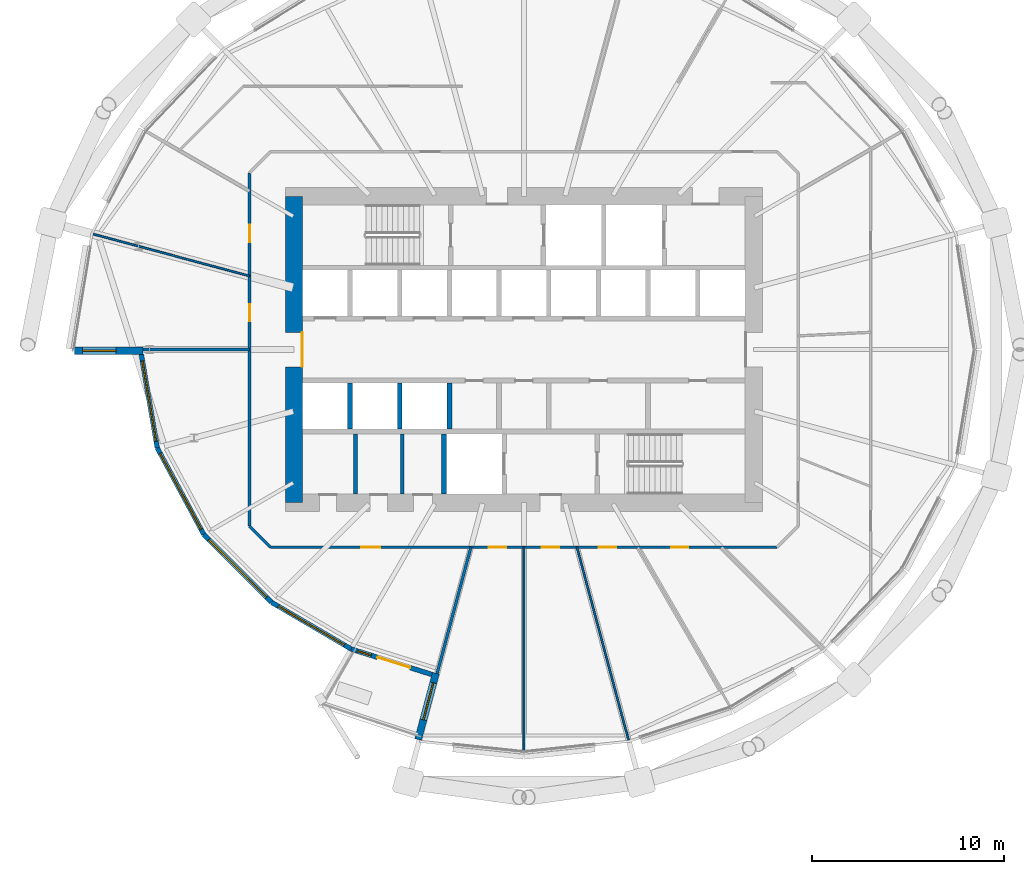
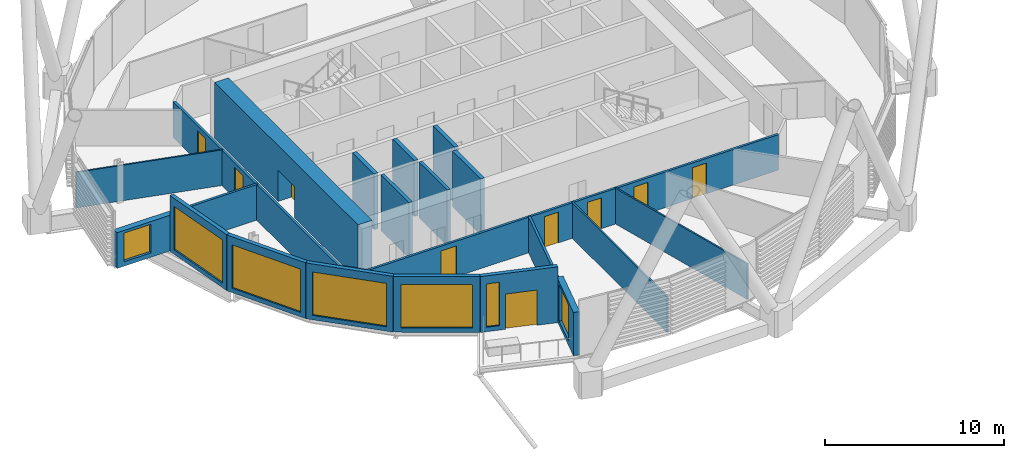
# One storey, part 20 of 36: 22 walls, 9 doors, 7 windows, 16 openings.
"""IFC4 building model written with IfcOpenShell, lengths in metres."""

from ifc_helpers import new_model, si_unit, direction, frame, frame_2d, origin, place, context, subcontext, project, spatial, rectangle, extrude, material, layer, layer_set, type_object, element, fill, save


model = new_model("IFC4")

# Units and contexts
model_context = context("Model", 3, precision=1e-05, world=origin(), true_north=direction((0.0, 1.0)))
body_context = subcontext(model_context, "Body", "Model", "MODEL_VIEW")
ifc_project = project(units=[si_unit("LENGTHUNIT", "METRE"), si_unit("AREAUNIT", "SQUARE_METRE"), si_unit("VOLUMEUNIT", "CUBIC_METRE"), si_unit("PLANEANGLEUNIT", "RADIAN"), si_unit("MASSUNIT", "GRAM", prefix="KILO")], contexts=[model_context])

# Site, building, storey
site_placement = place(None, origin())
site = spatial("IfcSite", under=ifc_project, at=site_placement, CompositionType="ELEMENT")
building_placement = place(site_placement, origin())
building = spatial("IfcBuilding", under=site, at=building_placement, Name="Rimbun Link Towers", CompositionType="ELEMENT")
storey_placement = place(building_placement, frame((0.0, 0.0, 64.199951171875)))
storey = spatial("IfcBuildingStorey", under=building, at=storey_placement, Name="L15", CompositionType="ELEMENT", Elevation=64.199951171875)

# Wall, opening, window
ifc_material_1 = material(Name="Dark enamelled glass spandrel on insulated aluminium backpan", Category="aluminium")
ifc_layer_1 = layer(ifc_material_1, 0.25)
ifc_layer_set_1 = layer_set([ifc_layer_1], Name="CS dark enamelled spandrel wall 250")
wall_type_1 = type_object("IfcWallType", Name="CS dark enamelled spandrel wall 250", PredefinedType="STANDARD", material=ifc_layer_set_1)
wall_1_placement = place(storey_placement, frame((-50.895263671875, -5.13916015625, 0.0), z_axis=(0.0, 0.0, 1.0), x_axis=(-0.168005969371, 0.985785977916, 0.0)))
wall_1 = element("IfcWall", 1, at=wall_1_placement, inside=storey, type_object=wall_type_1, Name="Crease spandrel wall", PredefinedType="STANDARD", context=body_context, shape_type="SweptSolid", body=[
    extrude(rectangle(XDim=4.959716796875, YDim=0.25, at=frame_2d((2.47998046875, 0.0))), origin(), (0.0, 0.0, 1.0), 3.800048828125),
])
opening_1_placement = place(wall_1_placement, frame((0.354736328125, 0.0, 0.300048828125)))
opening_1 = element("IfcOpeningElement", 2, at=opening_1_placement, cuts=wall_1, Name="Opening WR42H295", PredefinedType="OPENING", context=body_context, shape_type="SweptSolid", body=[
    extrude(rectangle(XDim=4.25, YDim=2.949951171875, at=frame_2d((2.125, 1.47509765625))), frame((0.0, 0.135009765625, 0.0), z_axis=(0.0, -1.0, 0.0), x_axis=(1.0, 0.0, 0.0)), (0.0, 0.0, 1.0), 0.27001953125),
])
ifc_material_2 = material(Name="Aluminium framed fixed window, dark tinted low-e glass", Category="aluminium")
window_type_1 = type_object("IfcWindowType", Name="WR ribbon window 4250X2950", PartitioningType="SINGLE_PANEL", PredefinedType="WINDOW", material=ifc_material_2)
window_1_placement = place(opening_1_placement, origin())
window_1 = element("IfcWindow", 3, at=window_1_placement, inside=storey, type_object=window_type_1, Name="Crease ribbon window", OverallHeight=2.949951171875, OverallWidth=4.25, PartitioningType="SINGLE_PANEL", PredefinedType="WINDOW", context=body_context, shape_type="SweptSolid", body=[
    extrude(rectangle(XDim=4.25, YDim=2.949951171875, at=frame_2d((2.125, 1.47509765625))), frame((0.0, 0.030029296875, 0.0), z_axis=(0.0, -1.0, 0.0), x_axis=(1.0, 0.0, 0.0)), (0.0, 0.0, 1.0), 0.06005859375),
])
fill(opening_1, window_1)

wall_2_placement = place(storey_placement, frame((-48.462646484375, -9.665771484375, 0.0), z_axis=(0.0, 0.0, 1.0), x_axis=(-0.47337722528, 0.880859808702, 0.0)))
wall_2 = element("IfcWall", 4, at=wall_2_placement, inside=storey, type_object=wall_type_1, Name="Crease spandrel wall", PredefinedType="STANDARD", context=body_context, shape_type="SweptSolid", body=[
    extrude(rectangle(XDim=5.138916015625, YDim=0.25, at=frame_2d((2.5693359375, 0.0))), origin(), (0.0, 0.0, 1.0), 3.800048828125),
])
opening_2_placement = place(wall_2_placement, frame((0.319580078125, 0.0, 0.300048828125)))
opening_2 = element("IfcOpeningElement", 5, at=opening_2_placement, cuts=wall_2, Name="Opening WR45H295", PredefinedType="OPENING", context=body_context, shape_type="SweptSolid", body=[
    extrude(rectangle(XDim=4.5, YDim=2.949951171875, at=frame_2d((2.25, 1.47509765625))), frame((0.0, 0.135009765625, 0.0), z_axis=(0.0, -1.0, 0.0), x_axis=(1.0, 0.0, 0.0)), (0.0, 0.0, 1.0), 0.27001953125),
])
ifc_material_3 = material(Name="Aluminium framed fixed window, dark tinted low-e glass", Category="aluminium")
window_type_2 = type_object("IfcWindowType", Name="WR ribbon window 4500X2950", PartitioningType="SINGLE_PANEL", PredefinedType="WINDOW", material=ifc_material_3)
window_2_placement = place(opening_2_placement, origin())
window_2 = element("IfcWindow", 6, at=window_2_placement, inside=storey, type_object=window_type_2, Name="Crease ribbon window", OverallHeight=2.949951171875, OverallWidth=4.5, PartitioningType="SINGLE_PANEL", PredefinedType="WINDOW", context=body_context, shape_type="SweptSolid", body=[
    extrude(rectangle(XDim=4.5, YDim=2.949951171875, at=frame_2d((2.25, 1.47509765625))), frame((0.0, 0.030029296875, 0.0), z_axis=(0.0, -1.0, 0.0), x_axis=(1.0, 0.0, 0.0)), (0.0, 0.0, 1.0), 0.06005859375),
])
fill(opening_2, window_2)

wall_3_placement = place(storey_placement, frame((-44.928955078125, -13.20166015625, 0.0), z_axis=(0.0, 0.0, 1.0), x_axis=(-0.706886974242, 0.707326519825, 0.0)))
wall_3 = element("IfcWall", 7, at=wall_3_placement, inside=storey, type_object=wall_type_1, Name="Crease spandrel wall", PredefinedType="STANDARD", context=body_context, shape_type="SweptSolid", body=[
    extrude(rectangle(XDim=4.9990234375, YDim=0.25, at=frame_2d((2.49951171875, 0.0))), origin(), (0.0, 0.0, 1.0), 3.800048828125),
])
opening_3_placement = place(wall_3_placement, frame((0.37451171875, 0.0, 0.300048828125)))
opening_3 = element("IfcOpeningElement", 8, at=opening_3_placement, cuts=wall_3, Name="Opening WR42H295", PredefinedType="OPENING", context=body_context, shape_type="SweptSolid", body=[
    extrude(rectangle(XDim=4.25, YDim=2.949951171875, at=frame_2d((2.125, 1.47509765625))), frame((0.0, 0.135009765625, 0.0), z_axis=(0.0, -1.0, 0.0), x_axis=(1.0, 0.0, 0.0)), (0.0, 0.0, 1.0), 0.27001953125),
])
window_3_placement = place(opening_3_placement, origin())
window_3 = element("IfcWindow", 9, at=window_3_placement, inside=storey, type_object=window_type_1, Name="Crease ribbon window", OverallHeight=2.949951171875, OverallWidth=4.25, PartitioningType="SINGLE_PANEL", PredefinedType="WINDOW", context=body_context, shape_type="SweptSolid", body=[
    extrude(rectangle(XDim=4.25, YDim=2.949951171875, at=frame_2d((2.125, 1.47509765625))), frame((0.0, 0.030029296875, 0.0), z_axis=(0.0, -1.0, 0.0), x_axis=(1.0, 0.0, 0.0)), (0.0, 0.0, 1.0), 0.06005859375),
])
fill(opening_3, window_3)

wall_4_placement = place(storey_placement, frame((-40.76611328125, -15.642822265625, 0.0), z_axis=(0.0, 0.0, 1.0), x_axis=(-0.862618805527, 0.505854520935, 0.0)))
wall_4 = element("IfcWall", 10, at=wall_4_placement, inside=storey, type_object=wall_type_1, Name="Crease spandrel wall", PredefinedType="STANDARD", context=body_context, shape_type="SweptSolid", body=[
    extrude(rectangle(XDim=4.825927734375, YDim=0.25, at=frame_2d((2.4130859375, 0.0))), origin(), (0.0, 0.0, 1.0), 3.800048828125),
])
opening_4_placement = place(wall_4_placement, frame((0.4130859375, 0.0, 0.300048828125)))
opening_4 = element("IfcOpeningElement", 11, at=opening_4_placement, cuts=wall_4, Name="Opening WR40H295", PredefinedType="OPENING", context=body_context, shape_type="SweptSolid", body=[
    extrude(rectangle(XDim=4.0, YDim=2.949951171875, at=frame_2d((2.0, 1.47509765625))), frame((0.0, 0.135009765625, 0.0), z_axis=(0.0, -1.0, 0.0), x_axis=(1.0, 0.0, 0.0)), (0.0, 0.0, 1.0), 0.27001953125),
])
ifc_material_4 = material(Name="Aluminium framed fixed window, dark tinted low-e glass", Category="aluminium")
window_type_3 = type_object("IfcWindowType", Name="WR ribbon window 4000X2950", PartitioningType="SINGLE_PANEL", PredefinedType="WINDOW", material=ifc_material_4)
window_4_placement = place(opening_4_placement, origin())
window_4 = element("IfcWindow", 12, at=window_4_placement, inside=storey, type_object=window_type_3, Name="Crease ribbon window", OverallHeight=2.949951171875, OverallWidth=4.0, PartitioningType="SINGLE_PANEL", PredefinedType="WINDOW", context=body_context, shape_type="SweptSolid", body=[
    extrude(rectangle(XDim=4.0, YDim=2.949951171875, at=frame_2d((2.0, 1.47509765625))), frame((0.0, 0.030029296875, 0.0), z_axis=(0.0, -1.0, 0.0), x_axis=(1.0, 0.0, 0.0)), (0.0, 0.0, 1.0), 0.06005859375),
])
fill(opening_4, window_4)

# Wall, openings, door, window
wall_5_placement = place(storey_placement, frame((-36.555908203125, -16.9697265625, 0.0), z_axis=(0.0, 0.0, 1.0), x_axis=(-0.953753862177, 0.300588706346, 0.0)))
wall_5 = element("IfcWall", 13, at=wall_5_placement, inside=storey, type_object=wall_type_1, Name="Crease spandrel wall", PredefinedType="STANDARD", context=body_context, shape_type="SweptSolid", body=[
    extrude(rectangle(XDim=4.414306640625, YDim=0.25, at=frame_2d((2.20703125, 0.0))), origin(), (0.0, 0.0, 1.0), 3.800048828125),
])
opening_5_placement = place(wall_5_placement, frame((3.321044921875, 0.0, 0.300048828125)))
opening_5 = element("IfcOpeningElement", 14, at=opening_5_placement, cuts=wall_5, Name="Opening WR08H295", PredefinedType="OPENING", context=body_context, shape_type="SweptSolid", body=[
    extrude(rectangle(XDim=0.75, YDim=2.949951171875, at=frame_2d((0.375, 1.47509765625))), frame((0.0, 0.135009765625, 0.0), z_axis=(0.0, -1.0, 0.0), x_axis=(1.0, 0.0, 0.0)), (0.0, 0.0, 1.0), 0.27001953125),
])
opening_6_placement = place(wall_5_placement, frame((1.177734375, 0.0, 0.0)))
opening_6 = element("IfcOpeningElement", 15, at=opening_6_placement, cuts=wall_5, Name="Opening ED57", PredefinedType="OPENING", context=body_context, shape_type="SweptSolid", body=[
    extrude(rectangle(XDim=1.800048828125, YDim=2.39990234375, at=frame_2d((0.89990234375, 1.199951171875))), frame((0.0, 0.135009765625, 0.0), z_axis=(0.0, -1.0, 0.0), x_axis=(1.0, 0.0, 0.0)), (0.0, 0.0, 1.0), 0.27001953125),
])
ifc_material_5 = material(Name="Aluminium framed glazed door, low-iron glass", Category="aluminium")
door_type_1 = type_object("IfcDoorType", Name="ED terrace door double leaf 1800X2400", OperationType="DOUBLE_DOOR_SINGLE_SWING", PredefinedType="DOOR", material=ifc_material_5)
door_1_placement = place(opening_6_placement, origin())
door_1 = element("IfcDoor", 16, at=door_1_placement, inside=storey, type_object=door_type_1, Name="Terrace door", OperationType="SINGLE_SWING_LEFT", OverallHeight=2.39990234375, OverallWidth=1.800048828125, PredefinedType="DOOR", context=body_context, shape_type="SweptSolid", body=[
    extrude(rectangle(XDim=1.800048828125, YDim=2.39990234375, at=frame_2d((0.89990234375, 1.199951171875))), frame((0.0, 0.02490234375, 0.0), z_axis=(0.0, -1.0, 0.0), x_axis=(1.0, 0.0, 0.0)), (0.0, 0.0, 1.0), 0.050048828125),
])
fill(opening_6, door_1)
ifc_material_6 = material(Name="Aluminium framed fixed window, dark tinted low-e glass", Category="aluminium")
window_type_4 = type_object("IfcWindowType", Name="WR ribbon window 750X2950", PartitioningType="SINGLE_PANEL", PredefinedType="WINDOW", material=ifc_material_6)
window_5_placement = place(opening_5_placement, origin())
window_5 = element("IfcWindow", 17, at=window_5_placement, inside=storey, type_object=window_type_4, Name="Crease ribbon window", OverallHeight=2.949951171875, OverallWidth=0.75, PartitioningType="SINGLE_PANEL", PredefinedType="WINDOW", context=body_context, shape_type="SweptSolid", body=[
    extrude(rectangle(XDim=0.75, YDim=2.949951171875, at=frame_2d((0.375, 1.47509765625))), frame((0.0, 0.030029296875, 0.0), z_axis=(0.0, -1.0, 0.0), x_axis=(1.0, 0.0, 0.0)), (0.0, 0.0, 1.0), 0.06005859375),
])
fill(opening_5, window_5)

# Wall, opening, window
ifc_material_7 = material(Name="Dark enamelled glass spandrel on insulated aluminium backpan", Category="aluminium")
ifc_layer_2 = layer(ifc_material_7, 0.3701171875)
ifc_layer_set_2 = layer_set([ifc_layer_2], Name="CS dark enamelled spandrel wall 370")
wall_type_2 = type_object("IfcWallType", Name="CS dark enamelled spandrel wall 370", PredefinedType="STANDARD", material=ifc_layer_set_2)
wall_6_placement = place(storey_placement, frame((-51.644287109375, -0.06494140625, 0.0), z_axis=(0.0, 0.0, 1.0), x_axis=(-1.0, 0.0, 0.0)))
wall_6 = element("IfcWall", 18, at=wall_6_placement, inside=storey, type_object=wall_type_2, Name="Crease spandrel wall", PredefinedType="STANDARD", context=body_context, shape_type="SweptSolid", body=[
    extrude(rectangle(XDim=3.580078125, YDim=0.3701171875, at=frame_2d((1.7900390625, 0.0))), origin(), (0.0, 0.0, 1.0), 2.429931640625),
])
opening_7_placement = place(wall_6_placement, frame((1.3974609375, 0.0, 0.300048828125)))
opening_7 = element("IfcOpeningElement", 19, at=opening_7_placement, cuts=wall_6, Name="Opening WR18H195", PredefinedType="OPENING", context=body_context, shape_type="SweptSolid", body=[
    extrude(rectangle(XDim=1.75, YDim=1.949951171875, at=frame_2d((0.875, 0.97509765625))), frame((0.0, 0.195068359375, 0.0), z_axis=(0.0, -1.0, 0.0), x_axis=(1.0, 0.0, 0.0)), (0.0, 0.0, 1.0), 0.39013671875),
])
ifc_material_8 = material(Name="Aluminium framed fixed window, dark tinted low-e glass", Category="aluminium")
window_type_5 = type_object("IfcWindowType", Name="WR ribbon window 1750X1950", PartitioningType="SINGLE_PANEL", PredefinedType="WINDOW", material=ifc_material_8)
window_6_placement = place(opening_7_placement, origin())
window_6 = element("IfcWindow", 20, at=window_6_placement, inside=storey, type_object=window_type_5, Name="Crease ribbon window", OverallHeight=1.949951171875, OverallWidth=1.75, PartitioningType="SINGLE_PANEL", PredefinedType="WINDOW", context=body_context, shape_type="SweptSolid", body=[
    extrude(rectangle(XDim=1.75, YDim=1.949951171875, at=frame_2d((0.875, 0.97509765625))), frame((0.0, 0.030029296875, 0.0), z_axis=(0.0, -1.0, 0.0), x_axis=(1.0, 0.0, 0.0)), (0.0, 0.0, 1.0), 0.06005859375),
])
fill(opening_7, window_6)

wall_7_placement = place(storey_placement, frame((-37.274169921875, -20.365234375, 0.0), z_axis=(0.0, 0.0, 1.0), x_axis=(0.258804260405, 0.965929787715, 0.0)))
wall_7 = element("IfcWall", 21, at=wall_7_placement, inside=storey, type_object=wall_type_2, Name="Crease spandrel wall", PredefinedType="STANDARD", context=body_context, shape_type="SweptSolid", body=[
    extrude(rectangle(XDim=3.580078125, YDim=0.3701171875, at=frame_2d((1.7900390625, 0.0))), origin(), (0.0, 0.0, 1.0), 2.946533203125),
])
opening_8_placement = place(wall_7_placement, frame((1.064453125, 0.0, 0.300048828125)))
opening_8 = element("IfcOpeningElement", 22, at=opening_8_placement, cuts=wall_7, Name="Opening WR20H245", PredefinedType="OPENING", context=body_context, shape_type="SweptSolid", body=[
    extrude(rectangle(XDim=2.0, YDim=2.449951171875, at=frame_2d((1.0, 1.22509765625))), frame((0.0, 0.195068359375, 0.0), z_axis=(0.0, -1.0, 0.0), x_axis=(1.0, 0.0, 0.0)), (0.0, 0.0, 1.0), 0.39013671875),
])
ifc_material_9 = material(Name="Aluminium framed fixed window, dark tinted low-e glass", Category="aluminium")
window_type_6 = type_object("IfcWindowType", Name="WR ribbon window 2000X2450", PartitioningType="SINGLE_PANEL", PredefinedType="WINDOW", material=ifc_material_9)
window_7_placement = place(opening_8_placement, origin())
window_7 = element("IfcWindow", 23, at=window_7_placement, inside=storey, type_object=window_type_6, Name="Crease ribbon window", OverallHeight=2.449951171875, OverallWidth=2.0, PartitioningType="SINGLE_PANEL", PredefinedType="WINDOW", context=body_context, shape_type="SweptSolid", body=[
    extrude(rectangle(XDim=2.0, YDim=2.449951171875, at=frame_2d((1.0, 1.22509765625))), frame((0.0, 0.030029296875, 0.0), z_axis=(0.0, -1.0, 0.0), x_axis=(1.0, 0.0, 0.0)), (0.0, 0.0, 1.0), 0.06005859375),
])
fill(opening_8, window_7)

# Walls
ifc_material_10 = material(Name="Masonry blockwork", Category="masonry")
ifc_layer_3 = layer(ifc_material_10, 0.199951171875)
ifc_layer_set_3 = layer_set([ifc_layer_3], Name="Core partition 200")
wall_type_3 = type_object("IfcWallType", Name="Core partition 200", PredefinedType="PARTITIONING", material=ifc_layer_set_3)
for number, where, z_axis, x_axis, name in (
    (24, (-40.550048828125, -4.39990234375, 0.0), (0.0, 0.0, 1.0), (0.0, -1.0, 0.0), "L15 T1 core wall C1"),
    (25, (-38.10009765625, -4.39990234375, 0.0), (0.0, 0.0, 1.0), (0.0, -1.0, 0.0), "L15 T1 core wall C2"),
):
    element("IfcWall", number, at=place(storey_placement, frame(where, z_axis=z_axis, x_axis=x_axis)), inside=storey, type_object=wall_type_3, Name=name, PredefinedType="PARTITIONING", context=body_context, shape_type="SweptSolid", body=[
        extrude(rectangle(XDim=3.150146484375, YDim=0.199951171875, at=frame_2d((1.5751953125, 0.0))), origin(), (0.0, 0.0, 1.0), 3.800048828125),
    ])

# Wall, opening, door
ifc_material_11 = material(Name="Concrete C60/75", Category="concrete")
ifc_layer_4 = layer(ifc_material_11, 0.89990234375)
ifc_layer_set_4 = layer_set([ifc_layer_4], Name="Core shear wall 900")
wall_type_4 = type_object("IfcWallType", Name="Core shear wall 900", PredefinedType="SHEAR", material=ifc_layer_set_4)
wall_8_placement = place(storey_placement, frame((-43.75, -8.0, 0.0), z_axis=(0.0, 0.0, 1.0), x_axis=(0.0, 1.0, 0.0)))
wall_8 = element("IfcWall", 26, at=wall_8_placement, inside=storey, type_object=wall_type_4, Name="L15 T1 core wall W", PredefinedType="SHEAR", context=body_context, shape_type="SweptSolid", body=[
    extrude(rectangle(XDim=16.0, YDim=0.89990234375, at=frame_2d((8.0, 0.0))), origin(), (0.0, 0.0, 1.0), 3.800048828125),
])
opening_9_placement = place(wall_8_placement, frame((7.10009765625, 0.0, 0.0)))
opening_9 = element("IfcOpeningElement", 27, at=opening_9_placement, cuts=wall_8, Name="Opening C1DCL01W", PredefinedType="OPENING", context=body_context, shape_type="SweptSolid", body=[
    extrude(rectangle(XDim=1.800048828125, YDim=2.10009765625, at=frame_2d((0.89990234375, 1.050048828125))), frame((0.0, 0.4599609375, 0.0), z_axis=(0.0, -1.0, 0.0), x_axis=(1.0, 0.0, 0.0)), (0.0, 0.0, 1.0), 0.919921875),
])
ifc_material_12 = material(Name="Steel fire door set", Category="steel")
door_type_2 = type_object("IfcDoorType", Name="Core lobby door double", OperationType="DOUBLE_DOOR_SINGLE_SWING", PredefinedType="DOOR", material=ifc_material_12)
door_2_placement = place(opening_9_placement, origin())
door_2 = element("IfcDoor", 28, at=door_2_placement, inside=storey, type_object=door_type_2, Name="L15 T1 lift lobby door", OperationType="DOUBLE_DOOR_SINGLE_SWING", OverallHeight=2.10009765625, OverallWidth=1.800048828125, PredefinedType="DOOR", context=body_context, shape_type="SweptSolid", body=[
    extrude(rectangle(XDim=1.800048828125, YDim=2.10009765625, at=frame_2d((0.89990234375, 1.050048828125))), frame((0.0, -0.39990234375, 0.0), z_axis=(0.0, -1.0, 0.0), x_axis=(1.0, 0.0, 0.0)), (0.0, 0.0, 1.0), 0.050048828125),
])
fill(opening_9, door_2)

# Wall, openings, doors
ifc_material_13 = material(Name="Plasterboard on steel stud, mineral wool", Category="steel")
ifc_layer_5 = layer(ifc_material_13, 0.14990234375)
ifc_layer_set_5 = layer_set([ifc_layer_5], Name="Corridor wall EI 30 150 mm")
wall_type_5 = type_object("IfcWallType", Name="Corridor wall EI 30 150 mm", PredefinedType="PARTITIONING", material=ifc_layer_set_5)
wall_9_placement = place(storey_placement, frame((-18.523193359375, -10.324951171875, 0.0), z_axis=(0.0, 0.0, 1.0), x_axis=(-1.0, 0.0, 0.0)))
wall_9 = element("IfcWall", 29, at=wall_9_placement, inside=storey, type_object=wall_type_5, Name="Corridor wall EI 30 150 mm", PredefinedType="PARTITIONING", context=body_context, shape_type="SweptSolid", body=[
    extrude(rectangle(XDim=26.45361328125, YDim=0.14990234375, at=frame_2d((13.226806640625, 0.0))), origin(), (0.0, 0.0, 1.0), 2.420166015625),
])
opening_10_placement = place(wall_9_placement, frame((14.159912109375, 0.0, 0.0)))
opening_10 = element("IfcOpeningElement", 30, at=opening_10_placement, cuts=wall_9, Name="Opening D02", PredefinedType="OPENING", context=body_context, shape_type="SweptSolid", body=[
    extrude(rectangle(XDim=0.89990234375, YDim=2.10009765625, at=frame_2d((0.449951171875, 1.050048828125))), frame((0.0, 0.0849609375, 0.0), z_axis=(0.0, -1.0, 0.0), x_axis=(1.0, 0.0, 0.0)), (0.0, 0.0, 1.0), 0.169921875),
])
opening_11_placement = place(wall_9_placement, frame((11.393310546875, 0.0, 0.0)))
opening_11 = element("IfcOpeningElement", 31, at=opening_11_placement, cuts=wall_9, Name="Opening D02", PredefinedType="OPENING", context=body_context, shape_type="SweptSolid", body=[
    extrude(rectangle(XDim=0.89990234375, YDim=2.10009765625, at=frame_2d((0.449951171875, 1.050048828125))), frame((0.0, 0.0849609375, 0.0), z_axis=(0.0, -1.0, 0.0), x_axis=(1.0, 0.0, 0.0)), (0.0, 0.0, 1.0), 0.169921875),
])
opening_12_placement = place(wall_9_placement, frame((8.412841796875, 0.0, 0.0)))
opening_12 = element("IfcOpeningElement", 32, at=opening_12_placement, cuts=wall_9, Name="Opening D02", PredefinedType="OPENING", context=body_context, shape_type="SweptSolid", body=[
    extrude(rectangle(XDim=0.89990234375, YDim=2.10009765625, at=frame_2d((0.449951171875, 1.050048828125))), frame((0.0, 0.0849609375, 0.0), z_axis=(0.0, -1.0, 0.0), x_axis=(1.0, 0.0, 0.0)), (0.0, 0.0, 1.0), 0.169921875),
])
opening_13_placement = place(wall_9_placement, frame((4.633544921875, 0.0, 0.0)))
opening_13 = element("IfcOpeningElement", 33, at=opening_13_placement, cuts=wall_9, Name="Opening D02", PredefinedType="OPENING", context=body_context, shape_type="SweptSolid", body=[
    extrude(rectangle(XDim=0.89990234375, YDim=2.10009765625, at=frame_2d((0.449951171875, 1.050048828125))), frame((0.0, 0.0849609375, 0.0), z_axis=(0.0, -1.0, 0.0), x_axis=(1.0, 0.0, 0.0)), (0.0, 0.0, 1.0), 0.169921875),
])
opening_14_placement = place(wall_9_placement, frame((20.723388671875, 0.0, 0.0)))
opening_14 = element("IfcOpeningElement", 34, at=opening_14_placement, cuts=wall_9, Name="Opening D01", PredefinedType="OPENING", context=body_context, shape_type="SweptSolid", body=[
    extrude(rectangle(XDim=1.0, YDim=2.10009765625, at=frame_2d((0.5, 1.050048828125))), frame((0.0, 0.0849609375, 0.0), z_axis=(0.0, -1.0, 0.0), x_axis=(1.0, 0.0, 0.0)), (0.0, 0.0, 1.0), 0.169921875),
])
ifc_material_14 = material(Name="Fire-resisting timber door leaf", Category="wood")
door_type_3 = type_object("IfcDoorType", Name="Fire door FD30S 1000", OperationType="NOTDEFINED", PredefinedType="DOOR", material=ifc_material_14)
door_3_placement = place(opening_14_placement, origin())
door_3 = element("IfcDoor", 35, at=door_3_placement, inside=storey, type_object=door_type_3, Name="Fire door FD30S 1000 to Terrace office", OperationType="SINGLE_SWING_RIGHT", OverallHeight=2.10009765625, OverallWidth=1.0, PredefinedType="DOOR", context=body_context, shape_type="SweptSolid", body=[
    extrude(rectangle(XDim=1.0, YDim=2.10009765625, at=frame_2d((0.5, 1.050048828125))), frame((0.0, 0.02490234375, 0.0), z_axis=(0.0, -1.0, 0.0), x_axis=(1.0, 0.0, 0.0)), (0.0, 0.0, 1.0), 0.050048828125),
])
fill(opening_14, door_3)
ifc_material_15 = material(Name="Fire-resisting timber door leaf", Category="wood")
door_type_4 = type_object("IfcDoorType", Name="Fire door FD30S 900", OperationType="NOTDEFINED", PredefinedType="DOOR", material=ifc_material_15)
door_4_placement = place(opening_10_placement, origin())
door_4 = element("IfcDoor", 36, at=door_4_placement, inside=storey, type_object=door_type_4, Name="Fire door FD30S 900 to Cellular office", OperationType="SINGLE_SWING_LEFT", OverallHeight=2.10009765625, OverallWidth=0.89990234375, PredefinedType="DOOR", context=body_context, shape_type="SweptSolid", body=[
    extrude(rectangle(XDim=0.89990234375, YDim=2.10009765625, at=frame_2d((0.449951171875, 1.050048828125))), frame((0.0, 0.02490234375, 0.0), z_axis=(0.0, -1.0, 0.0), x_axis=(1.0, 0.0, 0.0)), (0.0, 0.0, 1.0), 0.050048828125),
])
fill(opening_10, door_4)
door_5_placement = place(opening_11_placement, origin())
door_5 = element("IfcDoor", 37, at=door_5_placement, inside=storey, type_object=door_type_4, Name="Fire door FD30S 900 to Cellular office", OperationType="SINGLE_SWING_RIGHT", OverallHeight=2.10009765625, OverallWidth=0.89990234375, PredefinedType="DOOR", context=body_context, shape_type="SweptSolid", body=[
    extrude(rectangle(XDim=0.89990234375, YDim=2.10009765625, at=frame_2d((0.449951171875, 1.050048828125))), frame((0.0, 0.02490234375, 0.0), z_axis=(0.0, -1.0, 0.0), x_axis=(1.0, 0.0, 0.0)), (0.0, 0.0, 1.0), 0.050048828125),
])
fill(opening_11, door_5)
door_6_placement = place(opening_12_placement, origin())
door_6 = element("IfcDoor", 38, at=door_6_placement, inside=storey, type_object=door_type_4, Name="Fire door FD30S 900 to Cellular office", OperationType="SINGLE_SWING_LEFT", OverallHeight=2.10009765625, OverallWidth=0.89990234375, PredefinedType="DOOR", context=body_context, shape_type="SweptSolid", body=[
    extrude(rectangle(XDim=0.89990234375, YDim=2.10009765625, at=frame_2d((0.449951171875, 1.050048828125))), frame((0.0, 0.02490234375, 0.0), z_axis=(0.0, -1.0, 0.0), x_axis=(1.0, 0.0, 0.0)), (0.0, 0.0, 1.0), 0.050048828125),
])
fill(opening_12, door_6)
door_7_placement = place(opening_13_placement, origin())
door_7 = element("IfcDoor", 39, at=door_7_placement, inside=storey, type_object=door_type_4, Name="Fire door FD30S 900 to Meeting room", OperationType="SINGLE_SWING_RIGHT", OverallHeight=2.10009765625, OverallWidth=0.89990234375, PredefinedType="DOOR", context=body_context, shape_type="SweptSolid", body=[
    extrude(rectangle(XDim=0.89990234375, YDim=2.10009765625, at=frame_2d((0.449951171875, 1.050048828125))), frame((0.0, 0.02490234375, 0.0), z_axis=(0.0, -1.0, 0.0), x_axis=(1.0, 0.0, 0.0)), (0.0, 0.0, 1.0), 0.050048828125),
])
fill(opening_13, door_7)

# Wall
wall_10_placement = place(storey_placement, frame((-46.074951171875, -9.226806640625, 0.0), z_axis=(0.0, 0.0, 1.0), x_axis=(0.707106781187, -0.707106781187, 0.0)))
element("IfcWall", 40, at=wall_10_placement, inside=storey, type_object=wall_type_5, Name="Corridor wall EI 30 150 mm", PredefinedType="PARTITIONING", context=body_context, shape_type="SweptSolid", body=[
    extrude(rectangle(XDim=1.552978515625, YDim=0.14990234375, at=frame_2d((0.7763671875, 0.0))), origin(), (0.0, 0.0, 1.0), 2.420166015625),
])

# Wall, openings, doors
wall_11_placement = place(storey_placement, frame((-46.074951171875, -9.226806640625, 0.0), z_axis=(0.0, 0.0, 1.0), x_axis=(0.0, 1.0, 0.0)))
wall_11 = element("IfcWall", 41, at=wall_11_placement, inside=storey, type_object=wall_type_5, Name="Corridor wall EI 30 150 mm", PredefinedType="PARTITIONING", context=body_context, shape_type="SweptSolid", body=[
    extrude(rectangle(XDim=18.45361328125, YDim=0.14990234375, at=frame_2d((9.226806640625, 0.0))), origin(), (0.0, 0.0, 1.0), 2.420166015625),
])
opening_15_placement = place(wall_11_placement, frame((14.831298828125, 0.0, 0.0)))
opening_15 = element("IfcOpeningElement", 42, at=opening_15_placement, cuts=wall_11, Name="Opening D02", PredefinedType="OPENING", context=body_context, shape_type="SweptSolid", body=[
    extrude(rectangle(XDim=0.89990234375, YDim=2.10009765625, at=frame_2d((0.449951171875, 1.050048828125))), frame((0.0, 0.0849609375, 0.0), z_axis=(0.0, -1.0, 0.0), x_axis=(1.0, 0.0, 0.0)), (0.0, 0.0, 1.0), 0.169921875),
])
opening_16_placement = place(wall_11_placement, frame((10.69580078125, 0.0, 0.0)))
opening_16 = element("IfcOpeningElement", 43, at=opening_16_placement, cuts=wall_11, Name="Opening D02", PredefinedType="OPENING", context=body_context, shape_type="SweptSolid", body=[
    extrude(rectangle(XDim=0.89990234375, YDim=2.10009765625, at=frame_2d((0.449951171875, 1.050048828125))), frame((0.0, 0.0849609375, 0.0), z_axis=(0.0, -1.0, 0.0), x_axis=(1.0, 0.0, 0.0)), (0.0, 0.0, 1.0), 0.169921875),
])
door_8_placement = place(opening_15_placement, origin())
door_8 = element("IfcDoor", 44, at=door_8_placement, inside=storey, type_object=door_type_4, Name="Fire door FD30S 900 to Meeting room", OperationType="SINGLE_SWING_RIGHT", OverallHeight=2.10009765625, OverallWidth=0.89990234375, PredefinedType="DOOR", context=body_context, shape_type="SweptSolid", body=[
    extrude(rectangle(XDim=0.89990234375, YDim=2.10009765625, at=frame_2d((0.449951171875, 1.050048828125))), frame((0.0, 0.02490234375, 0.0), z_axis=(0.0, -1.0, 0.0), x_axis=(1.0, 0.0, 0.0)), (0.0, 0.0, 1.0), 0.050048828125),
])
fill(opening_15, door_8)
door_9_placement = place(opening_16_placement, origin())
door_9 = element("IfcDoor", 45, at=door_9_placement, inside=storey, type_object=door_type_4, Name="Fire door FD30S 900 to Meeting room", OperationType="SINGLE_SWING_LEFT", OverallHeight=2.10009765625, OverallWidth=0.89990234375, PredefinedType="DOOR", context=body_context, shape_type="SweptSolid", body=[
    extrude(rectangle(XDim=0.89990234375, YDim=2.10009765625, at=frame_2d((0.449951171875, 1.050048828125))), frame((0.0, 0.02490234375, 0.0), z_axis=(0.0, -1.0, 0.0), x_axis=(1.0, 0.0, 0.0)), (0.0, 0.0, 1.0), 0.050048828125),
])
fill(opening_16, door_9)

# Walls
ifc_material_16 = material(Name="Plasterboard on steel stud", Category="steel")
ifc_layer_6 = layer(ifc_material_16, 0.10009765625)
ifc_layer_set_6 = layer_set([ifc_layer_6], Name="Plasterboard partition 100 mm")
wall_type_6 = type_object("IfcWallType", Name="Plasterboard partition 100 mm", PredefinedType="PARTITIONING", material=ifc_layer_set_6)
wall_12_placement = place(storey_placement, frame((-31.75, -20.97705078125, 0.0), z_axis=(0.0, 0.0, 1.0), x_axis=(0.0, 1.0, 0.0)))
element("IfcWall", 46, at=wall_12_placement, inside=storey, type_object=wall_type_6, Name="Plasterboard partition 100 mm", PredefinedType="PARTITIONING", context=body_context, shape_type="SweptSolid", body=[
    extrude(rectangle(XDim=10.652099609375, YDim=0.10009765625, at=frame_2d((5.326171875, 0.0))), origin(), (0.0, 0.0, 1.0), 2.420166015625),
])
wall_13_placement = place(storey_placement, frame((-26.283447265625, -20.4013671875, 0.0), z_axis=(0.0, 0.0, 1.0), x_axis=(-0.258817581696, 0.965926218406, 0.0)))
element("IfcWall", 47, at=wall_13_placement, inside=storey, type_object=wall_type_6, Name="Plasterboard partition 100 mm", PredefinedType="PARTITIONING", context=body_context, shape_type="SweptSolid", body=[
    extrude(rectangle(XDim=10.431884765625, YDim=0.10009765625, at=frame_2d((5.2158203125, 0.0))), origin(), (0.0, 0.0, 1.0), 2.420166015625),
])
wall_14_placement = place(storey_placement, frame((-54.252685546875, 6.029541015625, 0.0), z_axis=(0.0, 0.0, 1.0), x_axis=(0.965927456645, -0.258812960455, 0.0)))
element("IfcWall", 48, at=wall_14_placement, inside=storey, type_object=wall_type_6, Name="Plasterboard partition 100 mm", PredefinedType="PARTITIONING", context=body_context, shape_type="SweptSolid", body=[
    extrude(rectangle(XDim=8.46630859375, YDim=0.10009765625, at=frame_2d((4.233154296875, 0.0))), origin(), (0.0, 0.0, 1.0), 2.420166015625),
])
ifc_material_17 = material(Name="Concrete C60/75", Category="concrete")
ifc_layer_7 = layer(ifc_material_17, 0.25)
ifc_layer_set_7 = layer_set([ifc_layer_7], Name="Shaft wall 250")
wall_type_7 = type_object("IfcWallType", Name="Shaft wall 250", PredefinedType="SHEAR", material=ifc_layer_set_7)
for number, where, z_axis, x_axis, name in (
    (49, (-40.83056640625, -4.14990234375, 0.0), (0.0, 0.0, 1.0), (0.0, 1.0, 0.0), "L15 T1 core wall DS0"),
    (50, (-38.236083984375, -4.14990234375, 0.0), (0.0, 0.0, 1.0), (0.0, 1.0, 0.0), "L15 T1 core wall DS1"),
    (51, (-35.6416015625, -4.14990234375, 0.0), (0.0, 0.0, 1.0), (0.0, 1.0, 0.0), "L15 T1 core wall DS2"),
):
    element("IfcWall", number, at=place(storey_placement, frame(where, z_axis=z_axis, x_axis=x_axis)), inside=storey, type_object=wall_type_7, Name=name, PredefinedType="SHEAR", context=body_context, shape_type="SweptSolid", body=[
        extrude(rectangle(XDim=2.39990234375, YDim=0.25, at=frame_2d((1.199951171875, 0.0))), origin(), (0.0, 0.0, 1.0), 3.800048828125),
    ])
wall_15_placement = place(storey_placement, frame((-35.925048828125, -4.39990234375, 0.0), z_axis=(0.0, 0.0, 1.0), x_axis=(0.0, -1.0, 0.0)))
element("IfcWall", 52, at=wall_15_placement, inside=storey, type_object=wall_type_7, Name="L15 T1 core wall B3", PredefinedType="SHEAR", context=body_context, shape_type="SweptSolid", body=[
    extrude(rectangle(XDim=3.150146484375, YDim=0.25, at=frame_2d((1.5751953125, 0.0))), origin(), (0.0, 0.0, 1.0), 3.800048828125),
])
ifc_material_18 = material(Name="Plasterboard on steel stud, mineral wool", Category="steel")
ifc_layer_8 = layer(ifc_material_18, 0.14990234375)
ifc_layer_set_8 = layer_set([ifc_layer_8], Name="Tenancy separation wall EI 60 150 mm")
wall_type_8 = type_object("IfcWallType", Name="Tenancy separation wall EI 60 150 mm", PredefinedType="PARTITIONING", material=ifc_layer_set_8)
wall_16_placement = place(storey_placement, frame((-46.074951171875, 0.0, 0.0), z_axis=(0.0, 0.0, 1.0), x_axis=(-1.0, 0.0, 0.0)))
element("IfcWall", 53, at=wall_16_placement, inside=storey, type_object=wall_type_8, Name="Tenancy separation wall EI 60 150 mm", PredefinedType="PARTITIONING", context=body_context, shape_type="SweptSolid", body=[
    extrude(rectangle(XDim=5.5693359375, YDim=0.14990234375, at=frame_2d((2.78466796875, 0.0))), origin(), (0.0, 0.0, 1.0), 2.420166015625),
])
wall_17_placement = place(storey_placement, frame((-34.5166015625, -10.324951171875, 0.0), z_axis=(0.0, 0.0, 1.0), x_axis=(-0.25883015873, -0.965922848333, 0.0)))
element("IfcWall", 54, at=wall_17_placement, inside=storey, type_object=wall_type_8, Name="Tenancy separation wall EI 60 150 mm", PredefinedType="PARTITIONING", context=body_context, shape_type="SweptSolid", body=[
    extrude(rectangle(XDim=6.83203125, YDim=0.14990234375, at=frame_2d((3.416015625, 0.0))), origin(), (0.0, 0.0, 1.0), 2.420166015625),
])

save(model, "model.ifc")
